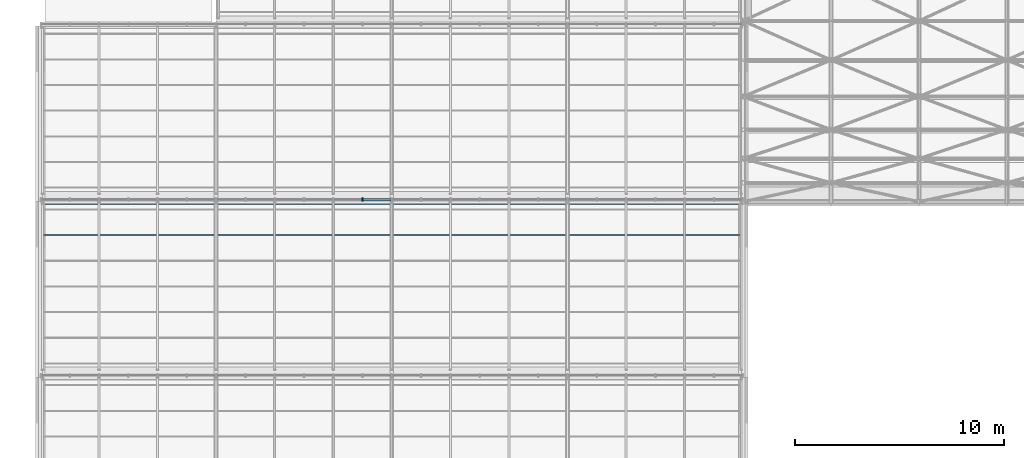
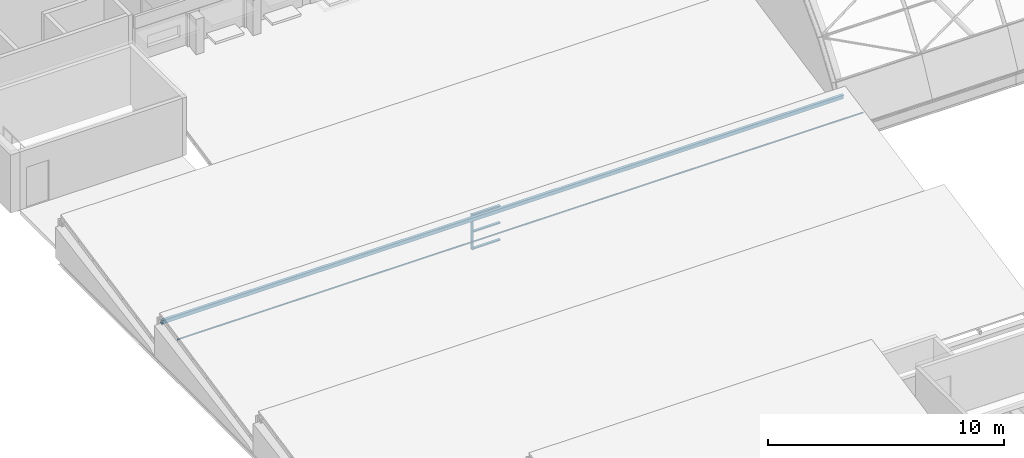
# One storey, part 21 of 121: 5 members, 1 beam, 1 element without a shape of its own.
"""IFC4 building model written with IfcOpenShell, lengths in metres."""

from ifc_helpers import new_model, si_unit, direction, frame, origin, origin_2d, place, context, subcontext, project, spatial, rectangle, hollow_rectangle, extrude, material, layer, layer_set, material_profile, profile_set, type_object, element, aggregate, save


model = new_model("IFC4")

# Units and contexts
model_context = context("Model", 3, precision=1e-05, world=origin(), true_north=direction((0.0, 1.0)))
body_context = subcontext(model_context, "Body", "Model", "MODEL_VIEW")
ifc_project = project(units=[si_unit("LENGTHUNIT", "METRE"), si_unit("AREAUNIT", "SQUARE_METRE"), si_unit("VOLUMEUNIT", "CUBIC_METRE"), si_unit("PLANEANGLEUNIT", "RADIAN"), si_unit("MASSUNIT", "GRAM", prefix="KILO")], contexts=[model_context])

# Site, building, storey
site_placement = place(None, origin())
site = spatial("IfcSite", under=ifc_project, at=site_placement, CompositionType="ELEMENT")
building_placement = place(site_placement, origin())
building = spatial("IfcBuilding", under=site, at=building_placement, Name="Ardhachandra Cancer Care Centre", CompositionType="ELEMENT")
storey_placement = place(building_placement, frame((0.0, 0.0, 9.0)))
storey = spatial("IfcBuildingStorey", under=building, at=storey_placement, Name="L02", CompositionType="ELEMENT", Elevation=9.0)

# Curtain wall, members
ifc_material_1 = material(Name="Aluminium extrusion", Category="aluminium")
ifc_layer = layer(ifc_material_1, 0.14990234375)
ifc_layer_set = layer_set([ifc_layer], Name="Aluminium extrusion")
curtain_wall_type = type_object("IfcCurtainWallType", Name="Curtain wall run", PredefinedType="NOTDEFINED", material=ifc_layer_set)
curtain_wall_placement = place(storey_placement, origin())
curtain_wall = element("IfcCurtainWall", 1, at=curtain_wall_placement, inside=storey, type_object=curtain_wall_type, Name="Curtain wall L02 n/0010800_0054700", PredefinedType="NOTDEFINED")
ifc_material_2 = material(Name="Aluminium extrusion", Category="aluminium")
ifc_material_profile_1 = material_profile(ifc_material_2, rectangle(XDim=0.159912109375, YDim=0.06005859375, at=origin_2d()), Name="Curtain wall mullion 60 x 160")
ifc_profile_set_1 = profile_set([ifc_material_profile_1], Name="Aluminium extrusion")
member_type_1 = type_object("IfcMemberType", Name="Curtain wall mullion 60 x 160", PredefinedType="MULLION", material=ifc_profile_set_1)
member_1_placement = place(storey_placement, frame((26.199951171875, 54.699951171875, 0.0), z_axis=(0.0, 0.0, 1.0), x_axis=(0.0, 1.0, 0.0)))
member_1 = element("IfcMember", 2, at=member_1_placement, type_object=member_type_1, Name="CW mullion 12", PredefinedType="MULLION", context=body_context, shape_type="SweptSolid", body=[
    extrude(rectangle(XDim=0.159912109375, YDim=0.06005859375, at=origin_2d()), origin(), (0.0, 0.0, 1.0), 1.820068359375),
])
ifc_material_3 = material(Name="Aluminium extrusion", Category="aluminium")
ifc_material_profile_2 = material_profile(ifc_material_3, rectangle(XDim=0.1201171875, YDim=0.06005859375, at=origin_2d()), Name="Curtain wall transom 60 x 120")
ifc_profile_set_2 = profile_set([ifc_material_profile_2], Name="Aluminium extrusion")
member_type_2 = type_object("IfcMemberType", Name="Curtain wall transom 60 x 120", PredefinedType="USERDEFINED", material=ifc_profile_set_2)
member_2_placement = place(storey_placement, frame((26.22998046875, 54.699951171875, 0.030029296875), z_axis=(1.0, 0.0, 0.0), x_axis=(0.0, 1.0, 0.0)))
member_2 = element("IfcMember", 3, at=member_2_placement, type_object=member_type_2, Name="CW transom 12.1", ObjectType="TRANSOM", PredefinedType="USERDEFINED", context=body_context, shape_type="SweptSolid", body=[
    extrude(rectangle(XDim=0.1201171875, YDim=0.06005859375, at=origin_2d()), origin(), (0.0, 0.0, 1.0), 1.340087890625),
])
member_3_placement = place(storey_placement, frame((26.22998046875, 54.699951171875, 0.909912109375), z_axis=(1.0, 0.0, 0.0), x_axis=(0.0, 1.0, 0.0)))
member_3 = element("IfcMember", 4, at=member_3_placement, type_object=member_type_2, Name="CW transom 12.2", ObjectType="TRANSOM", PredefinedType="USERDEFINED", context=body_context, shape_type="SweptSolid", body=[
    extrude(rectangle(XDim=0.1201171875, YDim=0.06005859375, at=origin_2d()), origin(), (0.0, 0.0, 1.0), 1.340087890625),
])
member_4_placement = place(storey_placement, frame((26.22998046875, 54.699951171875, 1.7900390625), z_axis=(1.0, 0.0, 0.0), x_axis=(0.0, 1.0, 0.0)))
member_4 = element("IfcMember", 5, at=member_4_placement, type_object=member_type_2, Name="CW transom 12.3", ObjectType="TRANSOM", PredefinedType="USERDEFINED", context=body_context, shape_type="SweptSolid", body=[
    extrude(rectangle(XDim=0.1201171875, YDim=0.06005859375, at=origin_2d()), origin(), (0.0, 0.0, 1.0), 1.340087890625),
])
aggregate(curtain_wall, [member_1, member_2, member_3, member_4])

# Member
ifc_material_4 = material(Name="Steel E350 (IS 2062)", Category="steel")
ifc_material_profile_3 = material_profile(ifc_material_4, hollow_rectangle(XDim=0.0400390625, YDim=0.080078125, WallThickness=0.00390625, InnerFilletRadius=0.00390625, OuterFilletRadius=0.008056640625, at=origin_2d()), Name="RHS 80x40x4.0")
ifc_profile_set_3 = profile_set([ifc_material_profile_3], Name="Steel E350 (IS 2062)")
member_type_3 = type_object("IfcMemberType", Name="Roof purlin RHS 80x40x4.0", PredefinedType="PURLIN", material=ifc_profile_set_3)
member_5_placement = place(storey_placement, frame((10.800048828125, 53.005615234375, 1.741943359375), z_axis=(1.0, 0.0, 0.0), x_axis=(0.0, 0.980106641092, 0.198471590126)))
element("IfcMember", 6, at=member_5_placement, inside=storey, type_object=member_type_3, Name="Purlin T3a.6", PredefinedType="PURLIN", context=body_context, shape_type="SweptSolid", body=[
    extrude(hollow_rectangle(XDim=0.0400390625, YDim=0.080078125, WallThickness=0.00390625, InnerFilletRadius=0.00390625, OuterFilletRadius=0.008056640625, at=origin_2d()), origin(), (0.0, 0.0, 1.0), 33.599853515625),
])

# Beam
ifc_material_5 = material(Name="Steel E350 (IS 2062)", Category="steel")
ifc_material_profile_4 = material_profile(ifc_material_5, hollow_rectangle(XDim=0.1201171875, YDim=0.239990234375, WallThickness=0.006103515625, InnerFilletRadius=0.006103515625, OuterFilletRadius=0.011962890625, at=origin_2d()), Name="RHS 240x120x6.0")
ifc_profile_set_4 = profile_set([ifc_material_profile_4], Name="Steel E350 (IS 2062)")
beam_type = type_object("IfcBeamType", Name="Sawtooth ridge beam RHS 240x120x6.0", PredefinedType="BEAM", material=ifc_profile_set_4)
beam_placement = place(storey_placement, frame((10.89990234375, 54.550048828125, 1.6875), z_axis=(1.0, 0.0, 0.0), x_axis=(0.0, 0.980106641092, 0.198471590126)))
element("IfcBeam", 7, at=beam_placement, inside=storey, type_object=beam_type, Name="Ridge beam T3a", PredefinedType="BEAM", context=body_context, shape_type="SweptSolid", body=[
    extrude(hollow_rectangle(XDim=0.1201171875, YDim=0.239990234375, WallThickness=0.006103515625, InnerFilletRadius=0.006103515625, OuterFilletRadius=0.011962890625, at=origin_2d()), origin(), (0.0, 0.0, 1.0), 33.400146484375),
])

save(model, "model.ifc")
